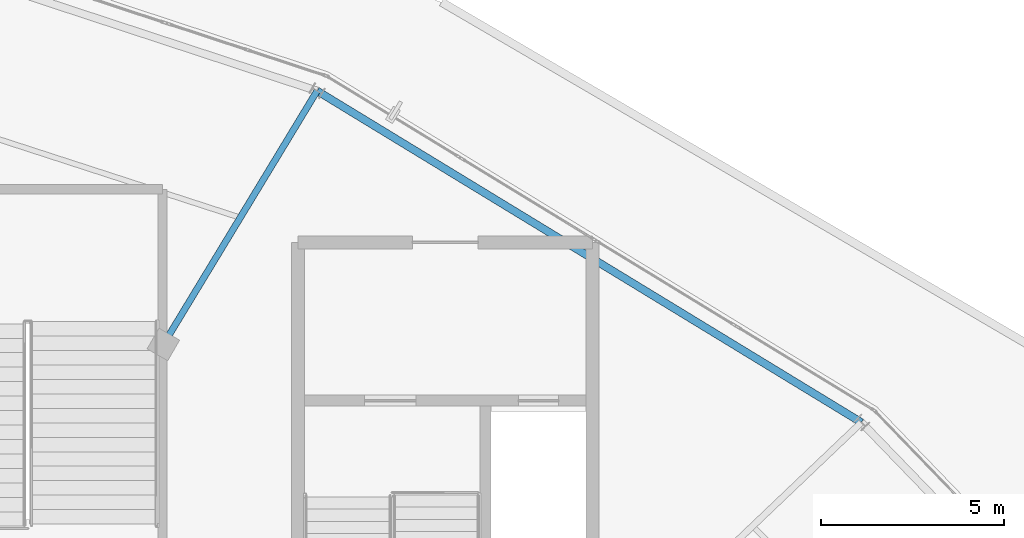
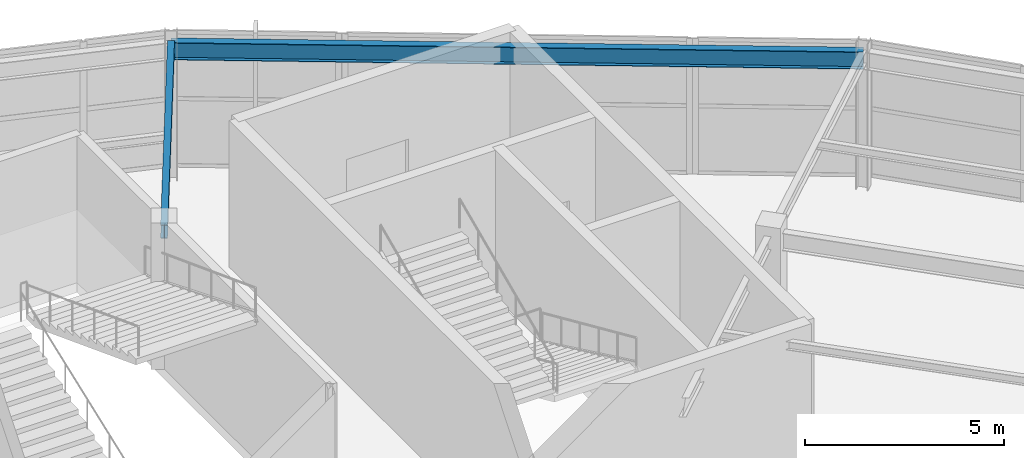
# One storey, part 77 of 126: 2 beams.
"""IFC4 building model written with IfcOpenShell, lengths in metres."""

from ifc_helpers import new_model, si_unit, direction, frame, origin, origin_2d, place, context, subcontext, project, spatial, i_section, extrude, material, material_profile, profile_set, type_object, element, save


model = new_model("IFC4")

# Units and contexts
model_context = context("Model", 3, precision=1e-05, world=origin(), true_north=direction((0.0, 1.0)))
body_context = subcontext(model_context, "Body", "Model", "MODEL_VIEW")
ifc_project = project(units=[si_unit("LENGTHUNIT", "METRE"), si_unit("AREAUNIT", "SQUARE_METRE"), si_unit("VOLUMEUNIT", "CUBIC_METRE"), si_unit("PLANEANGLEUNIT", "RADIAN"), si_unit("MASSUNIT", "GRAM", prefix="KILO")], contexts=[model_context])

# Site, building, storey
site_placement = place(None, origin())
site = spatial("IfcSite", under=ifc_project, at=site_placement, CompositionType="ELEMENT")
building_placement = place(site_placement, origin())
building = spatial("IfcBuilding", under=site, at=building_placement, Name="Kalgoora Escarpment Arena", CompositionType="ELEMENT")
storey_placement = place(building_placement, frame((0.0, 0.0, 18.89990234375)))
storey = spatial("IfcBuildingStorey", under=building, at=storey_placement, Name="L04", CompositionType="ELEMENT", Elevation=18.89990234375)

# Beams
ifc_material_1 = material(Name="Structural steel AS/NZS 3679 (300 MPa)", Category="steel")
ifc_material_profile_1 = material_profile(ifc_material_1, i_section(OverallWidth=0.177978515625, OverallDepth=0.406005859375, WebThickness=0.0078125, FlangeThickness=0.0126953125, at=origin_2d()))
ifc_profile_set_1 = profile_set([ifc_material_profile_1], Name="Structural steel AS/NZS 3679 (300 MPa)")
beam_type_1 = type_object("IfcBeamType", Name="BM-GIRDER-410UB59.7", PredefinedType="USERDEFINED", material=ifc_profile_set_1)
beam_1_placement = place(storey_placement, frame((124.10009765625, 106.435302734375, 4.007080078125), z_axis=(0.518407902139, 0.85513346736, 0.0), x_axis=(-0.85513346736, 0.518407902139, 0.0)))
element("IfcBeam", 1, at=beam_1_placement, inside=storey, type_object=beam_type_1, Name="L04 Radial concourse girder 410UB59.7", ObjectType="GIRDER", PredefinedType="USERDEFINED", context=body_context, shape_type="SweptSolid", body=[
    extrude(i_section(OverallWidth=0.177978515625, OverallDepth=0.406005859375, WebThickness=0.0078125, FlangeThickness=0.0126953125, at=origin_2d()), origin(), (0.0, 0.0, 1.0), 8.1015625),
])
ifc_material_2 = material(Name="Structural steel AS/NZS 3679 (300 MPa)", Category="steel")
ifc_material_profile_2 = material_profile(ifc_material_2, i_section(OverallWidth=0.208984375, OverallDepth=0.532958984375, WebThickness=0.01025390625, FlangeThickness=0.015625, at=origin_2d()))
ifc_profile_set_2 = profile_set([ifc_material_profile_2], Name="Structural steel AS/NZS 3679 (300 MPa)")
beam_type_2 = type_object("IfcBeamType", Name="BM-SPANDREL-530UB92.4", PredefinedType="SPANDREL", material=ifc_profile_set_2)
beam_2_placement = place(storey_placement, frame((143.17041015625, 104.30517578125, 3.943603515625), z_axis=(-0.854030640858, 0.520222706613, 0.0), x_axis=(-0.520222706613, -0.854030640858, 0.0)))
element("IfcBeam", 2, at=beam_2_placement, inside=storey, type_object=beam_type_2, Name="L04 Circumferential concourse girder RCONC2 530UB92.4", PredefinedType="SPANDREL", context=body_context, shape_type="SweptSolid", body=[
    extrude(i_section(OverallWidth=0.208984375, OverallDepth=0.532958984375, WebThickness=0.01025390625, FlangeThickness=0.015625, at=origin_2d()), origin(), (0.0, 0.0, 1.0), 17.411865234375),
])

save(model, "model.ifc")
